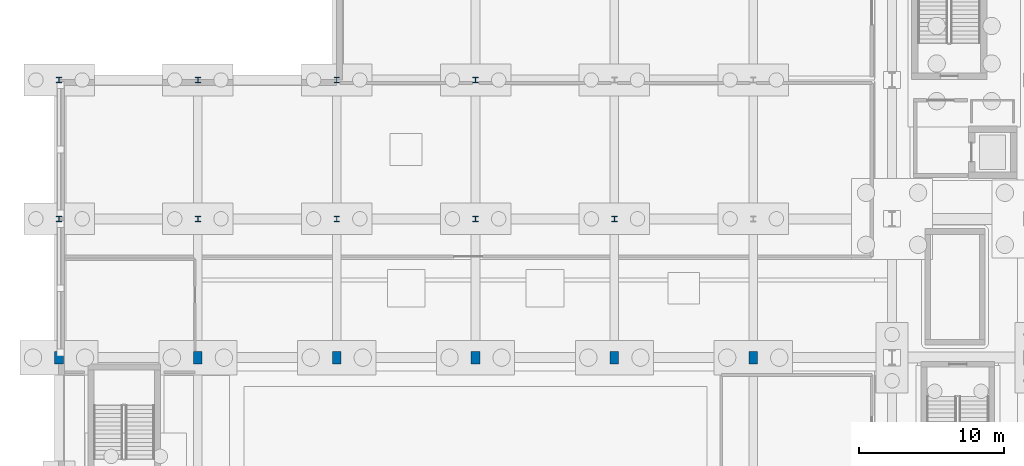
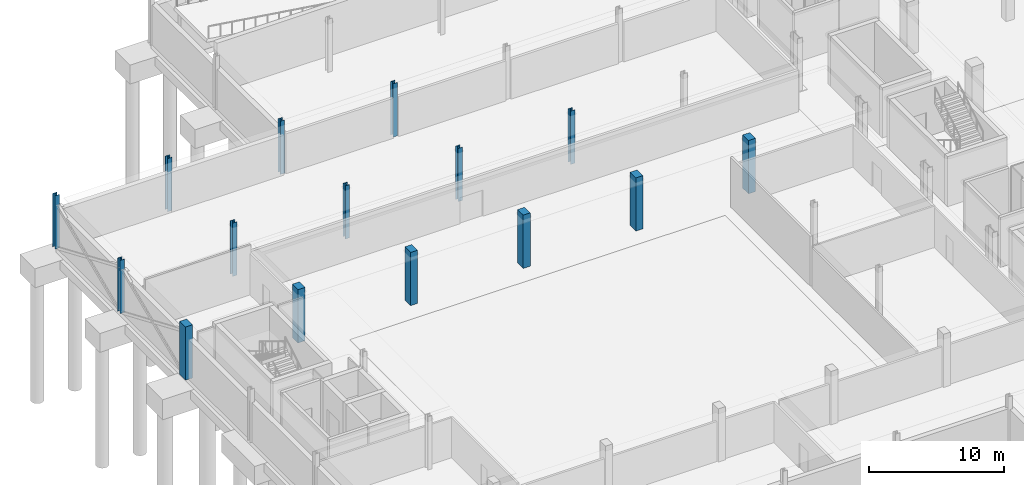
# One storey, part 17 of 67: 15 columns.
"""IFC4 building model written with IfcOpenShell, lengths in metres."""

from ifc_helpers import new_model, si_unit, direction, frame, origin, origin_2d, place, context, subcontext, project, spatial, rectangle, i_section, extrude, material, material_profile, profile_set, type_object, element, save


model = new_model("IFC4")

# Units and contexts
model_context = context("Model", 3, precision=1e-05, world=origin(), true_north=direction((0.0, 1.0)))
body_context = subcontext(model_context, "Body", "Model", "MODEL_VIEW")
ifc_project = project(units=[si_unit("LENGTHUNIT", "METRE"), si_unit("AREAUNIT", "SQUARE_METRE"), si_unit("VOLUMEUNIT", "CUBIC_METRE"), si_unit("PLANEANGLEUNIT", "RADIAN"), si_unit("MASSUNIT", "GRAM", prefix="KILO")], contexts=[model_context])

# Site, building, storey
site_placement = place(None, origin())
site = spatial("IfcSite", under=ifc_project, at=site_placement, CompositionType="ELEMENT")
building_placement = place(site_placement, origin())
building = spatial("IfcBuilding", under=site, at=building_placement, Name="Caelomonte Colonnade Arena", CompositionType="ELEMENT")
storey_placement = place(building_placement, frame((0.0, 0.0, -4.800048828125)))
storey = spatial("IfcBuildingStorey", under=building, at=storey_placement, Name="B1", CompositionType="ELEMENT", Elevation=-4.800048828125)

# Columns
ifc_material_1 = material(Name="Concrete C40/50", Category="concrete")
ifc_material_profile_1 = material_profile(ifc_material_1, rectangle(XDim=0.60009765625, YDim=0.85009765625, at=origin_2d()), Name="RC600X850")
ifc_profile_set_1 = profile_set([ifc_material_profile_1], Name="Concrete C40/50")
column_type_1 = type_object("IfcColumnType", Name="STR-COL-RC68", PredefinedType="COLUMN", material=ifc_profile_set_1)
for number, where, z_axis, x_axis, name in (
    (1, (0.0, 67.199951171875, 0.0), (0.0, 0.0, 1.0), (1.0, 0.0, 0.0), "B1 column (0.0, 67.2)"),
    (2, (9.60009765625, 67.199951171875, 0.0), (0.0, 0.0, 1.0), (1.0, 0.0, 0.0), "B1 column (9.6, 67.2)"),
    (3, (19.199951171875, 67.199951171875, 0.0), (0.0, 0.0, 1.0), (1.0, 0.0, 0.0), "B1 column (19.2, 67.2)"),
    (4, (28.800048828125, 67.199951171875, 0.0), (0.0, 0.0, 1.0), (1.0, 0.0, 0.0), "B1 column (28.8, 67.2)"),
    (5, (38.39990234375, 67.199951171875, 0.0), (0.0, 0.0, 1.0), (1.0, 0.0, 0.0), "B1 column (38.4, 67.2)"),
    (6, (48.0, 67.199951171875, 0.0), (0.0, 0.0, 1.0), (1.0, 0.0, 0.0), "B1 column (48.0, 67.2)"),
):
    element("IfcColumn", number, at=place(storey_placement, frame(where, z_axis=z_axis, x_axis=x_axis)), inside=storey, type_object=column_type_1, Name=name, PredefinedType="COLUMN", context=body_context, shape_type="SweptSolid", body=[
        extrude(rectangle(XDim=0.60009765625, YDim=0.85009765625, at=origin_2d()), origin(), (0.0, 0.0, 1.0), 4.800048828125),
    ])
ifc_material_2 = material(Name="Wide-flange steel ASTM A992 Grade 50", Category="steel")
ifc_material_profile_2 = material_profile(ifc_material_2, i_section(OverallWidth=0.3740234375, OverallDepth=0.372314453125, WebThickness=0.016357421875, FlangeThickness=0.026123046875, FilletRadius=0.01513671875, at=origin_2d()), Name="W14X132")
ifc_profile_set_2 = profile_set([ifc_material_profile_2], Name="Wide-flange steel ASTM A992 Grade 50")
column_type_2 = type_object("IfcColumnType", Name="STR-COL-W14A", PredefinedType="COLUMN", material=ifc_profile_set_2)
for number, where, z_axis, x_axis, name in (
    (7, (0.0, 76.800048828125, 0.0), (0.0, 0.0, 1.0), (1.0, 0.0, 0.0), "B1 column (0.0, 76.8)"),
    (8, (0.0, 86.39990234375, 0.0), (0.0, 0.0, 1.0), (1.0, 0.0, 0.0), "B1 column (0.0, 86.4)"),
    (9, (9.60009765625, 76.800048828125, 0.0), (0.0, 0.0, 1.0), (1.0, 0.0, 0.0), "B1 column (9.6, 76.8)"),
    (10, (9.60009765625, 86.39990234375, 0.0), (0.0, 0.0, 1.0), (1.0, 0.0, 0.0), "B1 column (9.6, 86.4)"),
    (11, (19.199951171875, 76.800048828125, 0.0), (0.0, 0.0, 1.0), (1.0, 0.0, 0.0), "B1 column (19.2, 76.8)"),
    (12, (19.199951171875, 86.39990234375, 0.0), (0.0, 0.0, 1.0), (1.0, 0.0, 0.0), "B1 column (19.2, 86.4)"),
    (13, (28.800048828125, 76.800048828125, 0.0), (0.0, 0.0, 1.0), (1.0, 0.0, 0.0), "B1 column (28.8, 76.8)"),
    (14, (28.800048828125, 86.39990234375, 0.0), (0.0, 0.0, 1.0), (1.0, 0.0, 0.0), "B1 column (28.8, 86.4)"),
    (15, (38.39990234375, 76.800048828125, 0.0), (0.0, 0.0, 1.0), (1.0, 0.0, 0.0), "B1 column (38.4, 76.8)"),
):
    element("IfcColumn", number, at=place(storey_placement, frame(where, z_axis=z_axis, x_axis=x_axis)), inside=storey, type_object=column_type_2, Name=name, PredefinedType="COLUMN", context=body_context, shape_type="SweptSolid", body=[
        extrude(i_section(OverallWidth=0.3740234375, OverallDepth=0.372314453125, WebThickness=0.016357421875, FlangeThickness=0.026123046875, FilletRadius=0.01513671875, at=origin_2d()), origin(), (0.0, 0.0, 1.0), 4.800048828125),
    ])

save(model, "model.ifc")
